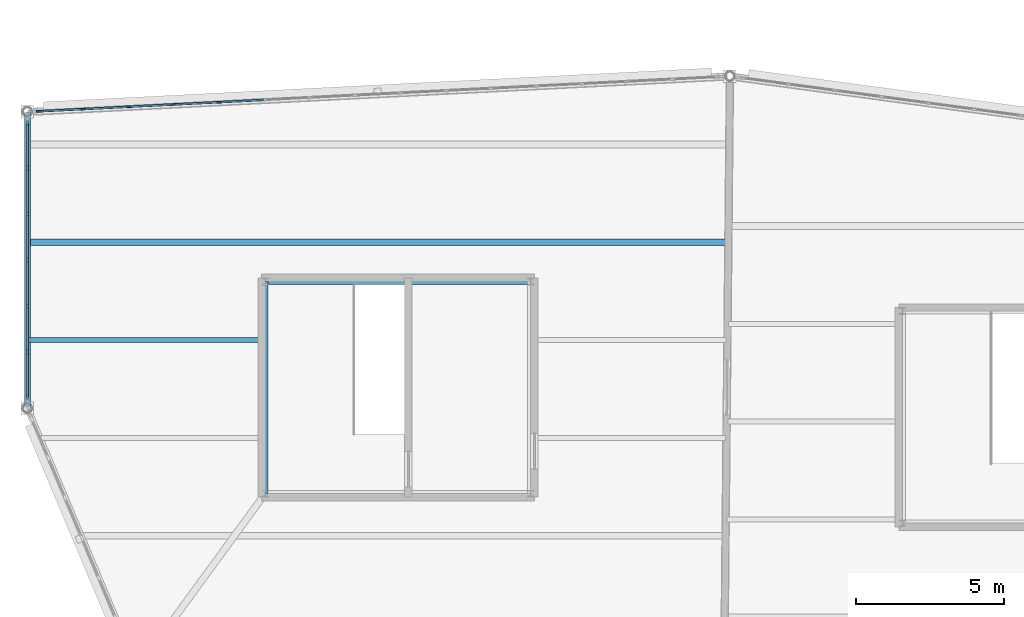
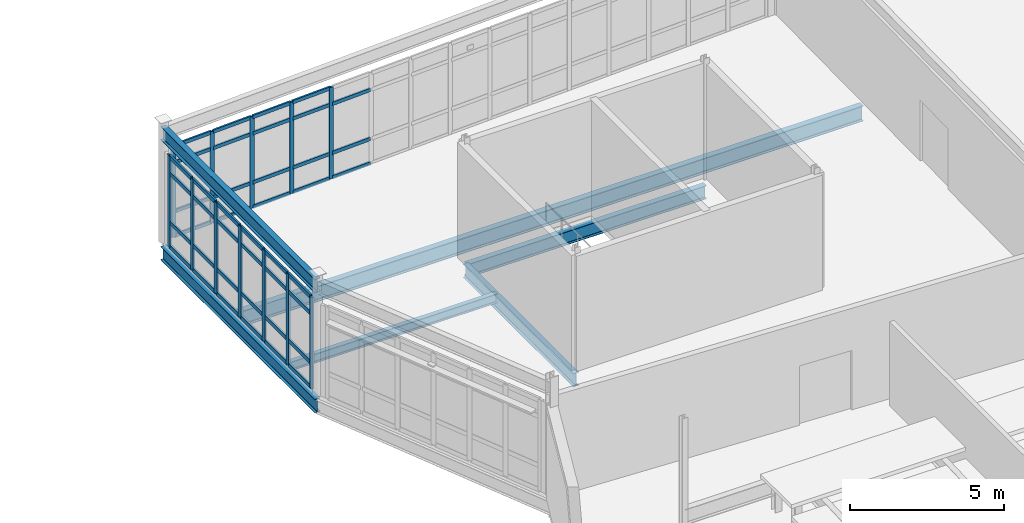
# One storey, part 31 of 134: 55 members, 6 beams, 2 elements without a shape of their own.
"""IFC4 building model written with IfcOpenShell, lengths in metres."""

from ifc_helpers import new_model, si_unit, direction, frame, origin, origin_2d, place, context, subcontext, project, spatial, rectangle, i_section, extrude, material, material_profile, profile_set, type_object, element, aggregate, save


model = new_model("IFC4")

# Units and contexts
model_context = context("Model", 3, precision=1e-05, world=origin(), true_north=direction((0.0, 1.0)))
body_context = subcontext(model_context, "Body", "Model", "MODEL_VIEW")
ifc_project = project(units=[si_unit("LENGTHUNIT", "METRE"), si_unit("AREAUNIT", "SQUARE_METRE"), si_unit("VOLUMEUNIT", "CUBIC_METRE"), si_unit("PLANEANGLEUNIT", "RADIAN"), si_unit("MASSUNIT", "GRAM", prefix="KILO")], contexts=[model_context])

# Site, building, storey
site_placement = place(None, origin())
site = spatial("IfcSite", under=ifc_project, at=site_placement, CompositionType="ELEMENT")
building_placement = place(site_placement, origin())
building = spatial("IfcBuilding", under=site, at=building_placement, Name="Tameran Prism Museum", CompositionType="ELEMENT")
storey_placement = place(building_placement, frame((0.0, 0.0, 5.39990234375)))
storey = spatial("IfcBuildingStorey", under=building, at=storey_placement, Name="L01", CompositionType="ELEMENT", Elevation=5.39990234375)

# Beams
ifc_material_1 = material(Name="Steel Grade 300PLUS (300 MPa)", Category="steel")
ifc_material_profile_1 = material_profile(ifc_material_1, i_section(OverallWidth=0.172119140625, OverallDepth=0.35888671875, WebThickness=0.008056640625, FlangeThickness=0.012939453125, FilletRadius=0.011474609375, at=origin_2d()))
ifc_profile_set_1 = profile_set([ifc_material_profile_1])
beam_type_1 = type_object("IfcBeamType", Name="BM-J360A", PredefinedType="JOIST", material=ifc_profile_set_1)
beam_1_placement = place(storey_placement, frame((0.0400390625, 34.10009765625, -0.37939453125), z_axis=(1.0, 0.0, 0.0), x_axis=(0.0, 1.0, 0.0)))
element("IfcBeam", 1, at=beam_1_placement, inside=storey, type_object=beam_type_1, Name="Floor Beam BM-0601", PredefinedType="JOIST", context=body_context, shape_type="SweptSolid", body=[
    extrude(i_section(OverallWidth=0.172119140625, OverallDepth=0.35888671875, WebThickness=0.008056640625, FlangeThickness=0.012939453125, FilletRadius=0.011474609375, at=origin_2d()), origin(), (0.0, 0.0, 1.0), 7.97998046875),
])
ifc_material_2 = material(Name="Steel Grade 300PLUS (300 MPa)", Category="steel")
ifc_material_profile_2 = material_profile(ifc_material_2, i_section(OverallWidth=0.208984375, OverallDepth=0.532958984375, WebThickness=0.01025390625, FlangeThickness=0.015625, FilletRadius=0.013916015625, at=origin_2d()))
ifc_profile_set_2 = profile_set([ifc_material_profile_2])
beam_type_2 = type_object("IfcBeamType", Name="BM-SP530A", PredefinedType="SPANDREL", material=ifc_profile_set_2)
beam_2_placement = place(storey_placement, frame((0.0, 41.800048828125, -0.46630859375), z_axis=(0.0, -1.0, 0.0), x_axis=(1.0, 0.0, 0.0)))
element("IfcBeam", 2, at=beam_2_placement, inside=storey, type_object=beam_type_2, Name="Perimeter Spandrel SP-0398", PredefinedType="SPANDREL", context=body_context, shape_type="SweptSolid", body=[
    extrude(i_section(OverallWidth=0.208984375, OverallDepth=0.532958984375, WebThickness=0.01025390625, FlangeThickness=0.015625, FilletRadius=0.013916015625, at=origin_2d()), origin(), (0.0, 0.0, 1.0), 10.0),
])
ifc_material_3 = material(Name="Steel Grade 300PLUS (300 MPa)", Category="steel")
ifc_material_profile_3 = material_profile(ifc_material_3, i_section(OverallWidth=0.208984375, OverallDepth=0.528076171875, WebThickness=0.009521484375, FlangeThickness=0.01318359375, FilletRadius=0.013916015625, at=origin_2d()))
ifc_profile_set_3 = profile_set([ifc_material_profile_3])
beam_type_3 = type_object("IfcBeamType", Name="BM-SP530B", PredefinedType="SPANDREL", material=ifc_profile_set_3)
beam_3_placement = place(storey_placement, frame((0.0, 41.800048828125, 4.2861328125), z_axis=(0.0, -1.0, 0.0), x_axis=(1.0, 0.0, 0.0)))
element("IfcBeam", 3, at=beam_3_placement, inside=storey, type_object=beam_type_3, Name="Roof Ring Beam RB-0402", PredefinedType="SPANDREL", context=body_context, shape_type="SweptSolid", body=[
    extrude(i_section(OverallWidth=0.208984375, OverallDepth=0.528076171875, WebThickness=0.009521484375, FlangeThickness=0.01318359375, FilletRadius=0.013916015625, at=origin_2d()), origin(), (0.0, 0.0, 1.0), 10.0),
])
beam_4_placement = place(storey_placement, frame((16.97998046875, 36.080078125, -0.50390625), z_axis=(-1.0, 0.0, 0.0), x_axis=(0.0, -1.0, 0.0)))
element("IfcBeam", 4, at=beam_4_placement, inside=storey, type_object=beam_type_3, Name="Core Ring Beam CTB-0476", PredefinedType="SPANDREL", context=body_context, shape_type="SweptSolid", body=[
    extrude(i_section(OverallWidth=0.208984375, OverallDepth=0.528076171875, WebThickness=0.009521484375, FlangeThickness=0.01318359375, FilletRadius=0.013916015625, at=origin_2d()), origin(), (0.0, 0.0, 1.0), 8.9599609375),
])
beam_5_placement = place(storey_placement, frame((8.02001953125, 36.080078125, -0.50390625), z_axis=(0.0, -1.0, 0.0), x_axis=(1.0, 0.0, 0.0)))
element("IfcBeam", 5, at=beam_5_placement, inside=storey, type_object=beam_type_3, Name="Core Ring Beam CTB-0477", PredefinedType="SPANDREL", context=body_context, shape_type="SweptSolid", body=[
    extrude(i_section(OverallWidth=0.208984375, OverallDepth=0.528076171875, WebThickness=0.009521484375, FlangeThickness=0.01318359375, FilletRadius=0.013916015625, at=origin_2d()), origin(), (0.0, 0.0, 1.0), 7.16015625),
])
ifc_material_4 = material(Name="Steel Grade 300PLUS (300 MPa)", Category="steel")
ifc_material_profile_4 = material_profile(ifc_material_4, i_section(OverallWidth=0.22802734375, OverallDepth=0.60693359375, WebThickness=0.01123046875, FlangeThickness=0.017333984375, FilletRadius=0.013916015625, at=origin_2d()))
ifc_profile_set_4 = profile_set([ifc_material_profile_4])
beam_type_4 = type_object("IfcBeamType", Name="BM-UB610B", PredefinedType="BEAM", material=ifc_profile_set_4)
beam_6_placement = place(storey_placement, frame((0.0400390625, 37.39990234375, -0.50341796875), z_axis=(1.0, 0.0, 0.0), x_axis=(0.0, 1.0, 0.0)))
element("IfcBeam", 6, at=beam_6_placement, inside=storey, type_object=beam_type_4, Name="Floor Beam BM-0603", PredefinedType="BEAM", context=body_context, shape_type="SweptSolid", body=[
    extrude(i_section(OverallWidth=0.22802734375, OverallDepth=0.60693359375, WebThickness=0.01123046875, FlangeThickness=0.017333984375, FilletRadius=0.013916015625, at=origin_2d()), origin(), (0.0, 0.0, 1.0), 23.56689453125),
])

# Curtain wall, members
ifc_material_5 = material(Name="Anodised Aluminium 6063-T6 and Cyclone Solar Glass", Category="aluminium")
curtain_wall_type_1 = type_object("IfcCurtainWallType", Name="CW-FAC-2297x362", PredefinedType="USERDEFINED", material=ifc_material_5)
curtain_wall_1_placement = place(storey_placement, origin())
curtain_wall_1 = element("IfcCurtainWall", 7, at=curtain_wall_1_placement, inside=storey, type_object=curtain_wall_type_1, Name="Unitised Curtain Wall CW-087", ObjectType="UNITISED CURTAIN WALL", PredefinedType="USERDEFINED")
ifc_material_6 = material(Name="Anodised Aluminium Alloy 6063-T6", Category="aluminium")
ifc_material_profile_5 = material_profile(ifc_material_6, rectangle(XDim=0.06494140625, YDim=0.159912109375, at=origin_2d()))
ifc_profile_set_5 = profile_set([ifc_material_profile_5])
member_type_1 = type_object("IfcMemberType", Name="CW-MUL-A", PredefinedType="MULLION", material=ifc_profile_set_5)
member_1_placement = place(storey_placement, frame((0.382568359375, 41.819580078125, 0.0), z_axis=(0.0, 0.0, 1.0), x_axis=(-0.050545595335, 0.99872175444, 0.0)))
member_1 = element("IfcMember", 8, at=member_1_placement, type_object=member_type_1, Name="CW-087 mullion 1", PredefinedType="MULLION", context=body_context, shape_type="SweptSolid", body=[
    extrude(rectangle(XDim=0.06494140625, YDim=0.159912109375, at=origin_2d()), origin(), (0.0, 0.0, 1.0), 3.6201171875),
])
member_2_placement = place(storey_placement, frame((1.87939453125, 41.8955078125, 0.0), z_axis=(0.0, 0.0, 1.0), x_axis=(-0.050545595335, 0.99872175444, 0.0)))
member_2 = element("IfcMember", 9, at=member_2_placement, type_object=member_type_1, Name="CW-087 mullion 2", PredefinedType="MULLION", context=body_context, shape_type="SweptSolid", body=[
    extrude(rectangle(XDim=0.06494140625, YDim=0.159912109375, at=origin_2d()), origin(), (0.0, 0.0, 1.0), 3.6201171875),
])
member_3_placement = place(storey_placement, frame((3.40869140625, 41.972900390625, 0.0), z_axis=(0.0, 0.0, 1.0), x_axis=(-0.050545595335, 0.99872175444, 0.0)))
member_3 = element("IfcMember", 10, at=member_3_placement, type_object=member_type_1, Name="CW-087 mullion 3", PredefinedType="MULLION", context=body_context, shape_type="SweptSolid", body=[
    extrude(rectangle(XDim=0.06494140625, YDim=0.159912109375, at=origin_2d()), origin(), (0.0, 0.0, 1.0), 3.6201171875),
])
member_4_placement = place(storey_placement, frame((4.93798828125, 42.05029296875, 0.0), z_axis=(0.0, 0.0, 1.0), x_axis=(-0.050545595335, 0.99872175444, 0.0)))
member_4 = element("IfcMember", 11, at=member_4_placement, type_object=member_type_1, Name="CW-087 mullion 4", PredefinedType="MULLION", context=body_context, shape_type="SweptSolid", body=[
    extrude(rectangle(XDim=0.06494140625, YDim=0.159912109375, at=origin_2d()), origin(), (0.0, 0.0, 1.0), 3.6201171875),
])
member_5_placement = place(storey_placement, frame((6.46728515625, 42.127685546875, 0.0), z_axis=(0.0, 0.0, 1.0), x_axis=(-0.050545595335, 0.99872175444, 0.0)))
member_5 = element("IfcMember", 12, at=member_5_placement, type_object=member_type_1, Name="CW-087 mullion 5", PredefinedType="MULLION", context=body_context, shape_type="SweptSolid", body=[
    extrude(rectangle(XDim=0.06494140625, YDim=0.159912109375, at=origin_2d()), origin(), (0.0, 0.0, 1.0), 3.6201171875),
])

ifc_material_7 = material(Name="Anodised Aluminium 6063-T6 and Cyclone Solar Glass", Category="aluminium")
curtain_wall_type_2 = type_object("IfcCurtainWallType", Name="CW-FAC-930x362", PredefinedType="USERDEFINED", material=ifc_material_7)
curtain_wall_2_placement = place(storey_placement, origin())
curtain_wall_2 = element("IfcCurtainWall", 13, at=curtain_wall_2_placement, inside=storey, type_object=curtain_wall_type_2, Name="Unitised Curtain Wall CW-088", ObjectType="UNITISED CURTAIN WALL", PredefinedType="USERDEFINED")
ifc_material_8 = material(Name="Anodised Aluminium Alloy 6063-T6", Category="aluminium")
ifc_material_profile_6 = material_profile(ifc_material_8, rectangle(XDim=0.070068359375, YDim=0.179931640625, at=origin_2d()))
ifc_profile_set_6 = profile_set([ifc_material_profile_6])
member_type_2 = type_object("IfcMemberType", Name="CW-MUL-B", PredefinedType="MULLION", material=ifc_profile_set_6)
member_6_placement = place(storey_placement, frame((0.0, 32.18505859375, 0.0), z_axis=(0.0, 0.0, 1.0), x_axis=(-1.0, 0.0, 0.0)))
member_6 = element("IfcMember", 14, at=member_6_placement, type_object=member_type_2, Name="CW-088 mullion 1", PredefinedType="MULLION", context=body_context, shape_type="SweptSolid", body=[
    extrude(rectangle(XDim=0.070068359375, YDim=0.179931640625, at=origin_2d()), origin(), (0.0, 0.0, 1.0), 3.6201171875),
])
member_7_placement = place(storey_placement, frame((0.0, 33.699951171875, 0.0), z_axis=(0.0, 0.0, 1.0), x_axis=(-1.0, 0.0, 0.0)))
member_7 = element("IfcMember", 15, at=member_7_placement, type_object=member_type_2, Name="CW-088 mullion 2", PredefinedType="MULLION", context=body_context, shape_type="SweptSolid", body=[
    extrude(rectangle(XDim=0.070068359375, YDim=0.179931640625, at=origin_2d()), origin(), (0.0, 0.0, 1.0), 3.6201171875),
])
member_8_placement = place(storey_placement, frame((0.0, 35.25, 0.0), z_axis=(0.0, 0.0, 1.0), x_axis=(-1.0, 0.0, 0.0)))
member_8 = element("IfcMember", 16, at=member_8_placement, type_object=member_type_2, Name="CW-088 mullion 3", PredefinedType="MULLION", context=body_context, shape_type="SweptSolid", body=[
    extrude(rectangle(XDim=0.070068359375, YDim=0.179931640625, at=origin_2d()), origin(), (0.0, 0.0, 1.0), 3.6201171875),
])
member_9_placement = place(storey_placement, frame((0.0, 36.800048828125, 0.0), z_axis=(0.0, 0.0, 1.0), x_axis=(-1.0, 0.0, 0.0)))
member_9 = element("IfcMember", 17, at=member_9_placement, type_object=member_type_2, Name="CW-088 mullion 4", PredefinedType="MULLION", context=body_context, shape_type="SweptSolid", body=[
    extrude(rectangle(XDim=0.070068359375, YDim=0.179931640625, at=origin_2d()), origin(), (0.0, 0.0, 1.0), 3.6201171875),
])
member_10_placement = place(storey_placement, frame((0.0, 38.35009765625, 0.0), z_axis=(0.0, 0.0, 1.0), x_axis=(-1.0, 0.0, 0.0)))
member_10 = element("IfcMember", 18, at=member_10_placement, type_object=member_type_2, Name="CW-088 mullion 5", PredefinedType="MULLION", context=body_context, shape_type="SweptSolid", body=[
    extrude(rectangle(XDim=0.070068359375, YDim=0.179931640625, at=origin_2d()), origin(), (0.0, 0.0, 1.0), 3.6201171875),
])
member_11_placement = place(storey_placement, frame((0.0, 39.89990234375, 0.0), z_axis=(0.0, 0.0, 1.0), x_axis=(-1.0, 0.0, 0.0)))
member_11 = element("IfcMember", 19, at=member_11_placement, type_object=member_type_2, Name="CW-088 mullion 6", PredefinedType="MULLION", context=body_context, shape_type="SweptSolid", body=[
    extrude(rectangle(XDim=0.070068359375, YDim=0.179931640625, at=origin_2d()), origin(), (0.0, 0.0, 1.0), 3.6201171875),
])
member_12_placement = place(storey_placement, frame((0.0, 41.4150390625, 0.0), z_axis=(0.0, 0.0, 1.0), x_axis=(-1.0, 0.0, 0.0)))
member_12 = element("IfcMember", 20, at=member_12_placement, type_object=member_type_2, Name="CW-088 mullion 7", PredefinedType="MULLION", context=body_context, shape_type="SweptSolid", body=[
    extrude(rectangle(XDim=0.070068359375, YDim=0.179931640625, at=origin_2d()), origin(), (0.0, 0.0, 1.0), 3.6201171875),
])

# Member
ifc_material_9 = material(Name="Anodised Aluminium Alloy 6063-T6", Category="aluminium")
ifc_material_profile_7 = material_profile(ifc_material_9, rectangle(XDim=0.06494140625, YDim=0.139892578125, at=origin_2d()))
ifc_profile_set_7 = profile_set([ifc_material_profile_7])
member_type_3 = type_object("IfcMemberType", Name="CW-TRN-A", PredefinedType="USERDEFINED", material=ifc_profile_set_7)
member_13_placement = place(storey_placement, frame((0.414794921875, 41.8212890625, 0.03271484375), z_axis=(0.998720722421, 0.050565982707, 0.0), x_axis=(-0.050565982707, 0.998720722421, 0.0)))
member_13 = element("IfcMember", 21, at=member_13_placement, type_object=member_type_3, Name="CW-087 transom 1.1", ObjectType="TRANSOM", PredefinedType="USERDEFINED", context=body_context, shape_type="SweptSolid", body=[
    extrude(rectangle(XDim=0.06494140625, YDim=0.139892578125, at=origin_2d()), origin(), (0.0, 0.0, 1.0), 1.43408203125),
])

member_14_placement = place(storey_placement, frame((0.414794921875, 41.8212890625, 1.0), z_axis=(0.998720722421, 0.050565982707, 0.0), x_axis=(-0.050565982707, 0.998720722421, 0.0)))
member_14 = element("IfcMember", 22, at=member_14_placement, type_object=member_type_3, Name="CW-087 transom 1.2", ObjectType="TRANSOM", PredefinedType="USERDEFINED", context=body_context, shape_type="SweptSolid", body=[
    extrude(rectangle(XDim=0.06494140625, YDim=0.139892578125, at=origin_2d()), origin(), (0.0, 0.0, 1.0), 1.43408203125),
])

member_15_placement = place(storey_placement, frame((0.414794921875, 41.8212890625, 2.940185546875), z_axis=(0.998720722421, 0.050565982707, 0.0), x_axis=(-0.050565982707, 0.998720722421, 0.0)))
member_15 = element("IfcMember", 23, at=member_15_placement, type_object=member_type_3, Name="CW-087 transom 1.3", ObjectType="TRANSOM", PredefinedType="USERDEFINED", context=body_context, shape_type="SweptSolid", body=[
    extrude(rectangle(XDim=0.06494140625, YDim=0.139892578125, at=origin_2d()), origin(), (0.0, 0.0, 1.0), 1.43408203125),
])

member_16_placement = place(storey_placement, frame((0.414794921875, 41.8212890625, 3.587646484375), z_axis=(0.998720722421, 0.050565982707, 0.0), x_axis=(-0.050565982707, 0.998720722421, 0.0)))
member_16 = element("IfcMember", 24, at=member_16_placement, type_object=member_type_3, Name="CW-087 transom 1.4", ObjectType="TRANSOM", PredefinedType="USERDEFINED", context=body_context, shape_type="SweptSolid", body=[
    extrude(rectangle(XDim=0.06494140625, YDim=0.139892578125, at=origin_2d()), origin(), (0.0, 0.0, 1.0), 1.43408203125),
])

member_17_placement = place(storey_placement, frame((1.911865234375, 41.89697265625, 0.03271484375), z_axis=(0.998718057597, 0.050618587781, 0.0), x_axis=(-0.050618587781, 0.998718057597, 0.0)))
member_17 = element("IfcMember", 25, at=member_17_placement, type_object=member_type_3, Name="CW-087 transom 2.1", ObjectType="TRANSOM", PredefinedType="USERDEFINED", context=body_context, shape_type="SweptSolid", body=[
    extrude(rectangle(XDim=0.06494140625, YDim=0.139892578125, at=origin_2d()), origin(), (0.0, 0.0, 1.0), 1.46630859375),
])

member_18_placement = place(storey_placement, frame((1.911865234375, 41.89697265625, 1.0), z_axis=(0.998718057597, 0.050618587781, 0.0), x_axis=(-0.050618587781, 0.998718057597, 0.0)))
member_18 = element("IfcMember", 26, at=member_18_placement, type_object=member_type_3, Name="CW-087 transom 2.2", ObjectType="TRANSOM", PredefinedType="USERDEFINED", context=body_context, shape_type="SweptSolid", body=[
    extrude(rectangle(XDim=0.06494140625, YDim=0.139892578125, at=origin_2d()), origin(), (0.0, 0.0, 1.0), 1.46630859375),
])

member_19_placement = place(storey_placement, frame((1.911865234375, 41.89697265625, 2.940185546875), z_axis=(0.998718057597, 0.050618587781, 0.0), x_axis=(-0.050618587781, 0.998718057597, 0.0)))
member_19 = element("IfcMember", 27, at=member_19_placement, type_object=member_type_3, Name="CW-087 transom 2.3", ObjectType="TRANSOM", PredefinedType="USERDEFINED", context=body_context, shape_type="SweptSolid", body=[
    extrude(rectangle(XDim=0.06494140625, YDim=0.139892578125, at=origin_2d()), origin(), (0.0, 0.0, 1.0), 1.46630859375),
])

member_20_placement = place(storey_placement, frame((1.911865234375, 41.89697265625, 3.587646484375), z_axis=(0.998718057597, 0.050618587781, 0.0), x_axis=(-0.050618587781, 0.998718057597, 0.0)))
member_20 = element("IfcMember", 28, at=member_20_placement, type_object=member_type_3, Name="CW-087 transom 2.4", ObjectType="TRANSOM", PredefinedType="USERDEFINED", context=body_context, shape_type="SweptSolid", body=[
    extrude(rectangle(XDim=0.06494140625, YDim=0.139892578125, at=origin_2d()), origin(), (0.0, 0.0, 1.0), 1.46630859375),
])

member_21_placement = place(storey_placement, frame((3.441162109375, 41.974365234375, 0.03271484375), z_axis=(0.998718057597, 0.050618587781, 0.0), x_axis=(-0.050618587781, 0.998718057597, 0.0)))
member_21 = element("IfcMember", 29, at=member_21_placement, type_object=member_type_3, Name="CW-087 transom 3.1", ObjectType="TRANSOM", PredefinedType="USERDEFINED", context=body_context, shape_type="SweptSolid", body=[
    extrude(rectangle(XDim=0.06494140625, YDim=0.139892578125, at=origin_2d()), origin(), (0.0, 0.0, 1.0), 1.46630859375),
])

member_22_placement = place(storey_placement, frame((3.441162109375, 41.974365234375, 1.0), z_axis=(0.998718057597, 0.050618587781, 0.0), x_axis=(-0.050618587781, 0.998718057597, 0.0)))
member_22 = element("IfcMember", 30, at=member_22_placement, type_object=member_type_3, Name="CW-087 transom 3.2", ObjectType="TRANSOM", PredefinedType="USERDEFINED", context=body_context, shape_type="SweptSolid", body=[
    extrude(rectangle(XDim=0.06494140625, YDim=0.139892578125, at=origin_2d()), origin(), (0.0, 0.0, 1.0), 1.46630859375),
])

member_23_placement = place(storey_placement, frame((3.441162109375, 41.974365234375, 2.940185546875), z_axis=(0.998718057597, 0.050618587781, 0.0), x_axis=(-0.050618587781, 0.998718057597, 0.0)))
member_23 = element("IfcMember", 31, at=member_23_placement, type_object=member_type_3, Name="CW-087 transom 3.3", ObjectType="TRANSOM", PredefinedType="USERDEFINED", context=body_context, shape_type="SweptSolid", body=[
    extrude(rectangle(XDim=0.06494140625, YDim=0.139892578125, at=origin_2d()), origin(), (0.0, 0.0, 1.0), 1.46630859375),
])

member_24_placement = place(storey_placement, frame((3.441162109375, 41.974365234375, 3.587646484375), z_axis=(0.998718057597, 0.050618587781, 0.0), x_axis=(-0.050618587781, 0.998718057597, 0.0)))
member_24 = element("IfcMember", 32, at=member_24_placement, type_object=member_type_3, Name="CW-087 transom 3.4", ObjectType="TRANSOM", PredefinedType="USERDEFINED", context=body_context, shape_type="SweptSolid", body=[
    extrude(rectangle(XDim=0.06494140625, YDim=0.139892578125, at=origin_2d()), origin(), (0.0, 0.0, 1.0), 1.46630859375),
])

member_25_placement = place(storey_placement, frame((4.970458984375, 42.0517578125, 0.03271484375), z_axis=(0.998718057597, 0.050618587781, 0.0), x_axis=(-0.050618587781, 0.998718057597, 0.0)))
member_25 = element("IfcMember", 33, at=member_25_placement, type_object=member_type_3, Name="CW-087 transom 4.1", ObjectType="TRANSOM", PredefinedType="USERDEFINED", context=body_context, shape_type="SweptSolid", body=[
    extrude(rectangle(XDim=0.06494140625, YDim=0.139892578125, at=origin_2d()), origin(), (0.0, 0.0, 1.0), 1.46630859375),
])

member_26_placement = place(storey_placement, frame((4.970458984375, 42.0517578125, 1.0), z_axis=(0.998718057597, 0.050618587781, 0.0), x_axis=(-0.050618587781, 0.998718057597, 0.0)))
member_26 = element("IfcMember", 34, at=member_26_placement, type_object=member_type_3, Name="CW-087 transom 4.2", ObjectType="TRANSOM", PredefinedType="USERDEFINED", context=body_context, shape_type="SweptSolid", body=[
    extrude(rectangle(XDim=0.06494140625, YDim=0.139892578125, at=origin_2d()), origin(), (0.0, 0.0, 1.0), 1.46630859375),
])

member_27_placement = place(storey_placement, frame((4.970458984375, 42.0517578125, 2.940185546875), z_axis=(0.998718057597, 0.050618587781, 0.0), x_axis=(-0.050618587781, 0.998718057597, 0.0)))
member_27 = element("IfcMember", 35, at=member_27_placement, type_object=member_type_3, Name="CW-087 transom 4.3", ObjectType="TRANSOM", PredefinedType="USERDEFINED", context=body_context, shape_type="SweptSolid", body=[
    extrude(rectangle(XDim=0.06494140625, YDim=0.139892578125, at=origin_2d()), origin(), (0.0, 0.0, 1.0), 1.46630859375),
])

member_28_placement = place(storey_placement, frame((4.970458984375, 42.0517578125, 3.587646484375), z_axis=(0.998718057597, 0.050618587781, 0.0), x_axis=(-0.050618587781, 0.998718057597, 0.0)))
member_28 = element("IfcMember", 36, at=member_28_placement, type_object=member_type_3, Name="CW-087 transom 4.4", ObjectType="TRANSOM", PredefinedType="USERDEFINED", context=body_context, shape_type="SweptSolid", body=[
    extrude(rectangle(XDim=0.06494140625, YDim=0.139892578125, at=origin_2d()), origin(), (0.0, 0.0, 1.0), 1.46630859375),
])

member_29_placement = place(storey_placement, frame((6.499755859375, 42.129150390625, 0.03271484375), z_axis=(0.998718057597, 0.050618587781, 0.0), x_axis=(-0.050618587781, 0.998718057597, 0.0)))
member_29 = element("IfcMember", 37, at=member_29_placement, type_object=member_type_3, Name="CW-087 transom 5.1", ObjectType="TRANSOM", PredefinedType="USERDEFINED", context=body_context, shape_type="SweptSolid", body=[
    extrude(rectangle(XDim=0.06494140625, YDim=0.139892578125, at=origin_2d()), origin(), (0.0, 0.0, 1.0), 1.46630859375),
])

member_30_placement = place(storey_placement, frame((6.499755859375, 42.129150390625, 1.0), z_axis=(0.998718057597, 0.050618587781, 0.0), x_axis=(-0.050618587781, 0.998718057597, 0.0)))
member_30 = element("IfcMember", 38, at=member_30_placement, type_object=member_type_3, Name="CW-087 transom 5.2", ObjectType="TRANSOM", PredefinedType="USERDEFINED", context=body_context, shape_type="SweptSolid", body=[
    extrude(rectangle(XDim=0.06494140625, YDim=0.139892578125, at=origin_2d()), origin(), (0.0, 0.0, 1.0), 1.46630859375),
])

member_31_placement = place(storey_placement, frame((6.499755859375, 42.129150390625, 2.940185546875), z_axis=(0.998718057597, 0.050618587781, 0.0), x_axis=(-0.050618587781, 0.998718057597, 0.0)))
member_31 = element("IfcMember", 39, at=member_31_placement, type_object=member_type_3, Name="CW-087 transom 5.3", ObjectType="TRANSOM", PredefinedType="USERDEFINED", context=body_context, shape_type="SweptSolid", body=[
    extrude(rectangle(XDim=0.06494140625, YDim=0.139892578125, at=origin_2d()), origin(), (0.0, 0.0, 1.0), 1.46630859375),
])

aggregate(curtain_wall_1, [member_1, member_2, member_3, member_4, member_5, member_13, member_14, member_15, member_16, member_17, member_18, member_19, member_20, member_21, member_22, member_23, member_24, member_25, member_26, member_27, member_28, member_29, member_30, member_31])

ifc_material_10 = material(Name="Anodised Aluminium Alloy 6063-T6", Category="aluminium")
ifc_material_profile_8 = material_profile(ifc_material_10, rectangle(XDim=0.070068359375, YDim=0.155029296875, at=origin_2d()))
ifc_profile_set_8 = profile_set([ifc_material_profile_8])
member_type_4 = type_object("IfcMemberType", Name="CW-TRN-B", PredefinedType="USERDEFINED", material=ifc_profile_set_8)
member_32_placement = place(storey_placement, frame((0.0, 32.219970703125, 0.03515625), z_axis=(0.0, 1.0, 0.0), x_axis=(-1.0, 0.0, 0.0)))
member_32 = element("IfcMember", 40, at=member_32_placement, type_object=member_type_4, Name="CW-088 transom 1.1", ObjectType="TRANSOM", PredefinedType="USERDEFINED", context=body_context, shape_type="SweptSolid", body=[
    extrude(rectangle(XDim=0.070068359375, YDim=0.155029296875, at=origin_2d()), origin(), (0.0, 0.0, 1.0), 1.445068359375),
])

member_33_placement = place(storey_placement, frame((0.0, 32.219970703125, 1.0), z_axis=(0.0, 1.0, 0.0), x_axis=(-1.0, 0.0, 0.0)))
member_33 = element("IfcMember", 41, at=member_33_placement, type_object=member_type_4, Name="CW-088 transom 1.2", ObjectType="TRANSOM", PredefinedType="USERDEFINED", context=body_context, shape_type="SweptSolid", body=[
    extrude(rectangle(XDim=0.070068359375, YDim=0.155029296875, at=origin_2d()), origin(), (0.0, 0.0, 1.0), 1.445068359375),
])

member_34_placement = place(storey_placement, frame((0.0, 32.219970703125, 2.940185546875), z_axis=(0.0, 1.0, 0.0), x_axis=(-1.0, 0.0, 0.0)))
member_34 = element("IfcMember", 42, at=member_34_placement, type_object=member_type_4, Name="CW-088 transom 1.3", ObjectType="TRANSOM", PredefinedType="USERDEFINED", context=body_context, shape_type="SweptSolid", body=[
    extrude(rectangle(XDim=0.070068359375, YDim=0.155029296875, at=origin_2d()), origin(), (0.0, 0.0, 1.0), 1.445068359375),
])

member_35_placement = place(storey_placement, frame((0.0, 32.219970703125, 3.585205078125), z_axis=(0.0, 1.0, 0.0), x_axis=(-1.0, 0.0, 0.0)))
member_35 = element("IfcMember", 43, at=member_35_placement, type_object=member_type_4, Name="CW-088 transom 1.4", ObjectType="TRANSOM", PredefinedType="USERDEFINED", context=body_context, shape_type="SweptSolid", body=[
    extrude(rectangle(XDim=0.070068359375, YDim=0.155029296875, at=origin_2d()), origin(), (0.0, 0.0, 1.0), 1.445068359375),
])

member_36_placement = place(storey_placement, frame((0.0, 33.735107421875, 0.03515625), z_axis=(0.0, 1.0, 0.0), x_axis=(-1.0, 0.0, 0.0)))
member_36 = element("IfcMember", 44, at=member_36_placement, type_object=member_type_4, Name="CW-088 transom 2.1", ObjectType="TRANSOM", PredefinedType="USERDEFINED", context=body_context, shape_type="SweptSolid", body=[
    extrude(rectangle(XDim=0.070068359375, YDim=0.155029296875, at=origin_2d()), origin(), (0.0, 0.0, 1.0), 1.47998046875),
])

member_37_placement = place(storey_placement, frame((0.0, 33.735107421875, 1.0), z_axis=(0.0, 1.0, 0.0), x_axis=(-1.0, 0.0, 0.0)))
member_37 = element("IfcMember", 45, at=member_37_placement, type_object=member_type_4, Name="CW-088 transom 2.2", ObjectType="TRANSOM", PredefinedType="USERDEFINED", context=body_context, shape_type="SweptSolid", body=[
    extrude(rectangle(XDim=0.070068359375, YDim=0.155029296875, at=origin_2d()), origin(), (0.0, 0.0, 1.0), 1.47998046875),
])

member_38_placement = place(storey_placement, frame((0.0, 33.735107421875, 2.940185546875), z_axis=(0.0, 1.0, 0.0), x_axis=(-1.0, 0.0, 0.0)))
member_38 = element("IfcMember", 46, at=member_38_placement, type_object=member_type_4, Name="CW-088 transom 2.3", ObjectType="TRANSOM", PredefinedType="USERDEFINED", context=body_context, shape_type="SweptSolid", body=[
    extrude(rectangle(XDim=0.070068359375, YDim=0.155029296875, at=origin_2d()), origin(), (0.0, 0.0, 1.0), 1.47998046875),
])

member_39_placement = place(storey_placement, frame((0.0, 33.735107421875, 3.585205078125), z_axis=(0.0, 1.0, 0.0), x_axis=(-1.0, 0.0, 0.0)))
member_39 = element("IfcMember", 47, at=member_39_placement, type_object=member_type_4, Name="CW-088 transom 2.4", ObjectType="TRANSOM", PredefinedType="USERDEFINED", context=body_context, shape_type="SweptSolid", body=[
    extrude(rectangle(XDim=0.070068359375, YDim=0.155029296875, at=origin_2d()), origin(), (0.0, 0.0, 1.0), 1.47998046875),
])

member_40_placement = place(storey_placement, frame((0.0, 35.284912109375, 0.03515625), z_axis=(0.0, 1.0, 0.0), x_axis=(-1.0, 0.0, 0.0)))
member_40 = element("IfcMember", 48, at=member_40_placement, type_object=member_type_4, Name="CW-088 transom 3.1", ObjectType="TRANSOM", PredefinedType="USERDEFINED", context=body_context, shape_type="SweptSolid", body=[
    extrude(rectangle(XDim=0.070068359375, YDim=0.155029296875, at=origin_2d()), origin(), (0.0, 0.0, 1.0), 1.47998046875),
])

member_41_placement = place(storey_placement, frame((0.0, 35.284912109375, 1.0), z_axis=(0.0, 1.0, 0.0), x_axis=(-1.0, 0.0, 0.0)))
member_41 = element("IfcMember", 49, at=member_41_placement, type_object=member_type_4, Name="CW-088 transom 3.2", ObjectType="TRANSOM", PredefinedType="USERDEFINED", context=body_context, shape_type="SweptSolid", body=[
    extrude(rectangle(XDim=0.070068359375, YDim=0.155029296875, at=origin_2d()), origin(), (0.0, 0.0, 1.0), 1.47998046875),
])

member_42_placement = place(storey_placement, frame((0.0, 35.284912109375, 2.940185546875), z_axis=(0.0, 1.0, 0.0), x_axis=(-1.0, 0.0, 0.0)))
member_42 = element("IfcMember", 50, at=member_42_placement, type_object=member_type_4, Name="CW-088 transom 3.3", ObjectType="TRANSOM", PredefinedType="USERDEFINED", context=body_context, shape_type="SweptSolid", body=[
    extrude(rectangle(XDim=0.070068359375, YDim=0.155029296875, at=origin_2d()), origin(), (0.0, 0.0, 1.0), 1.47998046875),
])

member_43_placement = place(storey_placement, frame((0.0, 35.284912109375, 3.585205078125), z_axis=(0.0, 1.0, 0.0), x_axis=(-1.0, 0.0, 0.0)))
member_43 = element("IfcMember", 51, at=member_43_placement, type_object=member_type_4, Name="CW-088 transom 3.4", ObjectType="TRANSOM", PredefinedType="USERDEFINED", context=body_context, shape_type="SweptSolid", body=[
    extrude(rectangle(XDim=0.070068359375, YDim=0.155029296875, at=origin_2d()), origin(), (0.0, 0.0, 1.0), 1.47998046875),
])

member_44_placement = place(storey_placement, frame((0.0, 36.8349609375, 0.03515625), z_axis=(0.0, 1.0, 0.0), x_axis=(-1.0, 0.0, 0.0)))
member_44 = element("IfcMember", 52, at=member_44_placement, type_object=member_type_4, Name="CW-088 transom 4.1", ObjectType="TRANSOM", PredefinedType="USERDEFINED", context=body_context, shape_type="SweptSolid", body=[
    extrude(rectangle(XDim=0.070068359375, YDim=0.155029296875, at=origin_2d()), origin(), (0.0, 0.0, 1.0), 1.47998046875),
])

member_45_placement = place(storey_placement, frame((0.0, 36.8349609375, 1.0), z_axis=(0.0, 1.0, 0.0), x_axis=(-1.0, 0.0, 0.0)))
member_45 = element("IfcMember", 53, at=member_45_placement, type_object=member_type_4, Name="CW-088 transom 4.2", ObjectType="TRANSOM", PredefinedType="USERDEFINED", context=body_context, shape_type="SweptSolid", body=[
    extrude(rectangle(XDim=0.070068359375, YDim=0.155029296875, at=origin_2d()), origin(), (0.0, 0.0, 1.0), 1.47998046875),
])

member_46_placement = place(storey_placement, frame((0.0, 36.8349609375, 2.940185546875), z_axis=(0.0, 1.0, 0.0), x_axis=(-1.0, 0.0, 0.0)))
member_46 = element("IfcMember", 54, at=member_46_placement, type_object=member_type_4, Name="CW-088 transom 4.3", ObjectType="TRANSOM", PredefinedType="USERDEFINED", context=body_context, shape_type="SweptSolid", body=[
    extrude(rectangle(XDim=0.070068359375, YDim=0.155029296875, at=origin_2d()), origin(), (0.0, 0.0, 1.0), 1.47998046875),
])

member_47_placement = place(storey_placement, frame((0.0, 36.8349609375, 3.585205078125), z_axis=(0.0, 1.0, 0.0), x_axis=(-1.0, 0.0, 0.0)))
member_47 = element("IfcMember", 55, at=member_47_placement, type_object=member_type_4, Name="CW-088 transom 4.4", ObjectType="TRANSOM", PredefinedType="USERDEFINED", context=body_context, shape_type="SweptSolid", body=[
    extrude(rectangle(XDim=0.070068359375, YDim=0.155029296875, at=origin_2d()), origin(), (0.0, 0.0, 1.0), 1.47998046875),
])

member_48_placement = place(storey_placement, frame((0.0, 38.385009765625, 0.03515625), z_axis=(0.0, 1.0, 0.0), x_axis=(-1.0, 0.0, 0.0)))
member_48 = element("IfcMember", 56, at=member_48_placement, type_object=member_type_4, Name="CW-088 transom 5.1", ObjectType="TRANSOM", PredefinedType="USERDEFINED", context=body_context, shape_type="SweptSolid", body=[
    extrude(rectangle(XDim=0.070068359375, YDim=0.155029296875, at=origin_2d()), origin(), (0.0, 0.0, 1.0), 1.47998046875),
])

member_49_placement = place(storey_placement, frame((0.0, 38.385009765625, 1.0), z_axis=(0.0, 1.0, 0.0), x_axis=(-1.0, 0.0, 0.0)))
member_49 = element("IfcMember", 57, at=member_49_placement, type_object=member_type_4, Name="CW-088 transom 5.2", ObjectType="TRANSOM", PredefinedType="USERDEFINED", context=body_context, shape_type="SweptSolid", body=[
    extrude(rectangle(XDim=0.070068359375, YDim=0.155029296875, at=origin_2d()), origin(), (0.0, 0.0, 1.0), 1.47998046875),
])

member_50_placement = place(storey_placement, frame((0.0, 38.385009765625, 2.940185546875), z_axis=(0.0, 1.0, 0.0), x_axis=(-1.0, 0.0, 0.0)))
member_50 = element("IfcMember", 58, at=member_50_placement, type_object=member_type_4, Name="CW-088 transom 5.3", ObjectType="TRANSOM", PredefinedType="USERDEFINED", context=body_context, shape_type="SweptSolid", body=[
    extrude(rectangle(XDim=0.070068359375, YDim=0.155029296875, at=origin_2d()), origin(), (0.0, 0.0, 1.0), 1.47998046875),
])

member_51_placement = place(storey_placement, frame((0.0, 38.385009765625, 3.585205078125), z_axis=(0.0, 1.0, 0.0), x_axis=(-1.0, 0.0, 0.0)))
member_51 = element("IfcMember", 59, at=member_51_placement, type_object=member_type_4, Name="CW-088 transom 5.4", ObjectType="TRANSOM", PredefinedType="USERDEFINED", context=body_context, shape_type="SweptSolid", body=[
    extrude(rectangle(XDim=0.070068359375, YDim=0.155029296875, at=origin_2d()), origin(), (0.0, 0.0, 1.0), 1.47998046875),
])

member_52_placement = place(storey_placement, frame((0.0, 39.93505859375, 0.03515625), z_axis=(0.0, 1.0, 0.0), x_axis=(-1.0, 0.0, 0.0)))
member_52 = element("IfcMember", 60, at=member_52_placement, type_object=member_type_4, Name="CW-088 transom 6.1", ObjectType="TRANSOM", PredefinedType="USERDEFINED", context=body_context, shape_type="SweptSolid", body=[
    extrude(rectangle(XDim=0.070068359375, YDim=0.155029296875, at=origin_2d()), origin(), (0.0, 0.0, 1.0), 1.44482421875),
])

member_53_placement = place(storey_placement, frame((0.0, 39.93505859375, 1.0), z_axis=(0.0, 1.0, 0.0), x_axis=(-1.0, 0.0, 0.0)))
member_53 = element("IfcMember", 61, at=member_53_placement, type_object=member_type_4, Name="CW-088 transom 6.2", ObjectType="TRANSOM", PredefinedType="USERDEFINED", context=body_context, shape_type="SweptSolid", body=[
    extrude(rectangle(XDim=0.070068359375, YDim=0.155029296875, at=origin_2d()), origin(), (0.0, 0.0, 1.0), 1.44482421875),
])

member_54_placement = place(storey_placement, frame((0.0, 39.93505859375, 2.940185546875), z_axis=(0.0, 1.0, 0.0), x_axis=(-1.0, 0.0, 0.0)))
member_54 = element("IfcMember", 62, at=member_54_placement, type_object=member_type_4, Name="CW-088 transom 6.3", ObjectType="TRANSOM", PredefinedType="USERDEFINED", context=body_context, shape_type="SweptSolid", body=[
    extrude(rectangle(XDim=0.070068359375, YDim=0.155029296875, at=origin_2d()), origin(), (0.0, 0.0, 1.0), 1.44482421875),
])

member_55_placement = place(storey_placement, frame((0.0, 39.93505859375, 3.585205078125), z_axis=(0.0, 1.0, 0.0), x_axis=(-1.0, 0.0, 0.0)))
member_55 = element("IfcMember", 63, at=member_55_placement, type_object=member_type_4, Name="CW-088 transom 6.4", ObjectType="TRANSOM", PredefinedType="USERDEFINED", context=body_context, shape_type="SweptSolid", body=[
    extrude(rectangle(XDim=0.070068359375, YDim=0.155029296875, at=origin_2d()), origin(), (0.0, 0.0, 1.0), 1.44482421875),
])

aggregate(curtain_wall_2, [member_6, member_7, member_8, member_9, member_10, member_11, member_12, member_32, member_33, member_34, member_35, member_36, member_37, member_38, member_39, member_40, member_41, member_42, member_43, member_44, member_45, member_46, member_47, member_48, member_49, member_50, member_51, member_52, member_53, member_54, member_55])

save(model, "model.ifc")
